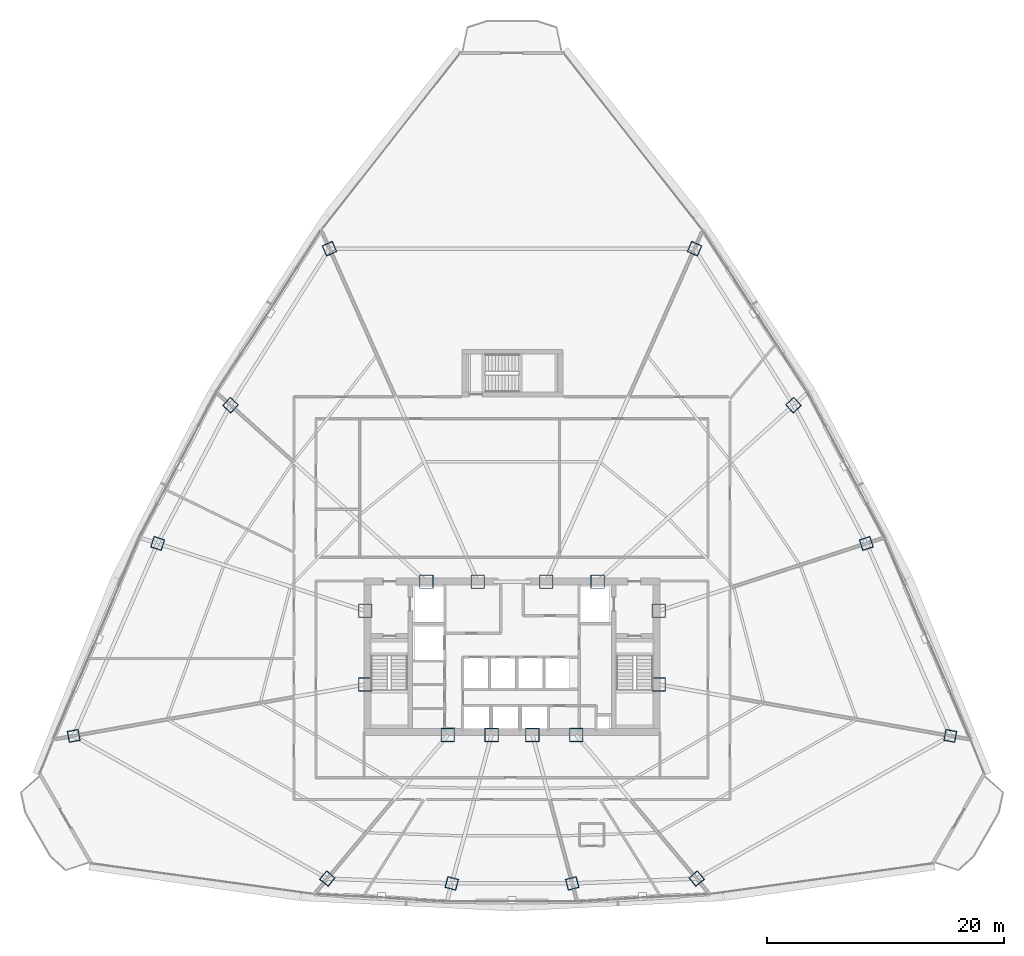
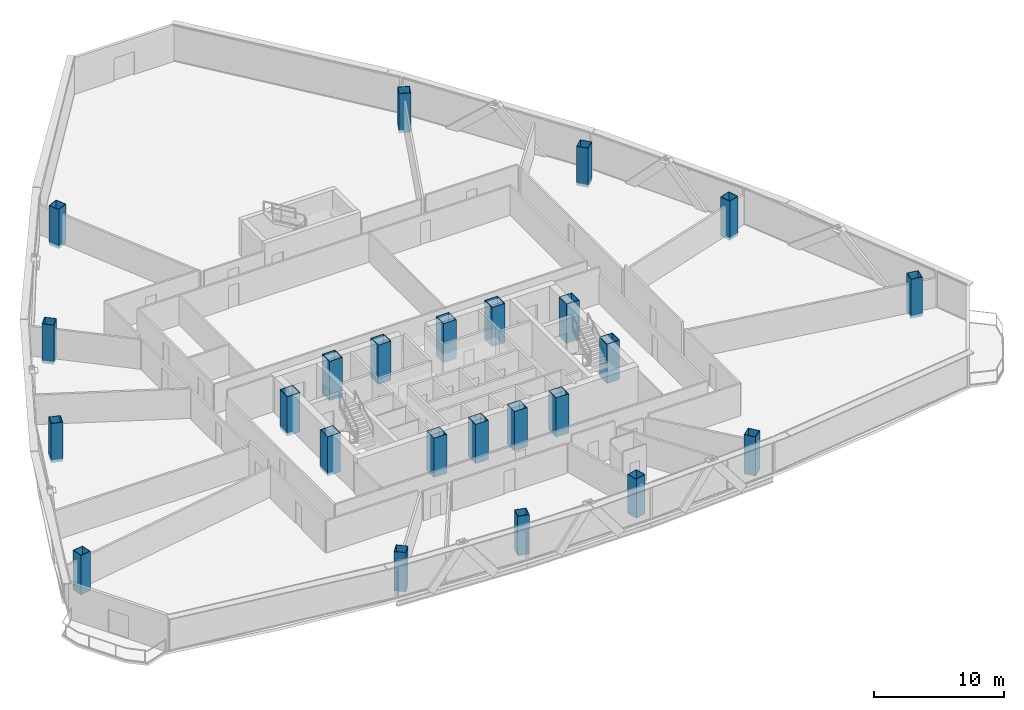
# One storey, part 1 of 39: 24 columns.
"""IFC4 building model written with IfcOpenShell, lengths in metres."""

from ifc_helpers import new_model, si_unit, direction, frame, origin, origin_2d, place, context, subcontext, project, spatial, hollow_rectangle, extrude, source, transform, mapped, material, material_profile, profile_set, type_object, element, save


model = new_model("IFC4")

# Units and contexts
model_context = context("Model", 3, precision=1e-05, world=origin(), true_north=direction((0.0, 1.0)))
body_context = subcontext(model_context, "Body", "Model", "MODEL_VIEW")
ifc_project = project(units=[si_unit("LENGTHUNIT", "METRE"), si_unit("AREAUNIT", "SQUARE_METRE"), si_unit("VOLUMEUNIT", "CUBIC_METRE"), si_unit("PLANEANGLEUNIT", "RADIAN"), si_unit("MASSUNIT", "GRAM", prefix="KILO"), si_unit("THERMODYNAMICTEMPERATUREUNIT", "KELVIN"), si_unit("POWERUNIT", "WATT")], contexts=[model_context])

# Site, building, storey
site_placement = place(None, origin())
site = spatial("IfcSite", under=ifc_project, at=site_placement, CompositionType="ELEMENT")
building_placement = place(site_placement, origin())
building = spatial("IfcBuilding", under=site, at=building_placement, Name="Yunzhuo Pagoda Commons", CompositionType="ELEMENT")
storey_placement = place(building_placement, frame((0.0, 0.0, 148.22998046875)))
storey = spatial("IfcBuildingStorey", under=building, at=storey_placement, Name="L37", CompositionType="ELEMENT", Elevation=148.22998046875)

# Columns
ifc_material = material(Name="Structural steel Q420B", Category="steel")
ifc_material_profile_1 = material_profile(ifc_material, hollow_rectangle(XDim=1.14990234375, YDim=1.14990234375, WallThickness=0.048095703125, at=origin_2d()), Name="Structural steel Q420B")
ifc_profile_set_1 = profile_set([ifc_material_profile_1], Name="Structural steel Q420B")
column_type_1 = type_object("IfcColumnType", Name="C-COR Column BOX 1150x1150x48", PredefinedType="COLUMN", material=ifc_profile_set_1)
shared_shape_1 = source(origin(), body_context, "Body", "SweptSolid", [
    extrude(hollow_rectangle(XDim=1.14990234375, YDim=1.14990234375, WallThickness=0.048095703125, at=origin_2d()), origin(), (0.0, 0.0, 1.0), 3.679931640625),
])
for number, where, z_axis, x_axis, name in (
    (1, (42.587890625, 27.25, -0.260009765625), (0.0, 0.0, 1.0), (1.0, 0.0, 0.0), "L37 core composite column F1C1"),
    (2, (46.27197265625, 27.25, -0.260009765625), (0.0, 0.0, 1.0), (1.0, 0.0, 0.0), "L37 core composite column F1C2"),
    (3, (49.728515625, 27.25, -0.260009765625), (0.0, 0.0, 1.0), (1.0, 0.0, 0.0), "L37 core composite column F1C3"),
    (4, (53.412109375, 27.25, -0.260009765625), (0.0, 0.0, 1.0), (1.0, 0.0, 0.0), "L37 core composite column F1C4"),
    (5, (60.39990234375, 31.513427734375, -0.260009765625), (0.0, 0.0, 1.0), (1.0, 0.0, 0.0), "L37 core composite column F2C1"),
    (6, (60.39990234375, 37.72900390625, -0.260009765625), (0.0, 0.0, 1.0), (1.0, 0.0, 0.0), "L37 core composite column F2C2"),
    (7, (55.218994140625, 40.199951171875, -0.260009765625), (0.0, 0.0, 1.0), (1.0, 0.0, 0.0), "L37 core composite column F2C3"),
    (8, (50.89404296875, 40.199951171875, -0.260009765625), (0.0, 0.0, 1.0), (1.0, 0.0, 0.0), "L37 core composite column F2C4"),
    (9, (45.10595703125, 40.199951171875, -0.260009765625), (0.0, 0.0, 1.0), (1.0, 0.0, 0.0), "L37 core composite column F3C1"),
    (10, (40.781005859375, 40.199951171875, -0.260009765625), (0.0, 0.0, 1.0), (1.0, 0.0, 0.0), "L37 core composite column F3C2"),
    (11, (35.60009765625, 37.72900390625, -0.260009765625), (0.0, 0.0, 1.0), (1.0, 0.0, 0.0), "L37 core composite column F3C3"),
    (12, (35.60009765625, 31.513427734375, -0.260009765625), (0.0, 0.0, 1.0), (1.0, 0.0, 0.0), "L37 core composite column F3C4"),
):
    element("IfcColumn", number, at=place(storey_placement, frame(where, z_axis=z_axis, x_axis=x_axis)), inside=storey, type_object=column_type_1, Name=name, PredefinedType="COLUMN", context=body_context, shape_type="MappedRepresentation", body=[
        mapped(shared_shape_1, transform((0.0, 0.0, 0.0), scale=1.0)),
    ])
ifc_material_profile_2 = material_profile(ifc_material, hollow_rectangle(XDim=0.949951171875, YDim=0.949951171875, WallThickness=0.0400390625, at=origin_2d()), Name="Structural steel Q420B")
ifc_profile_set_2 = profile_set([ifc_material_profile_2], Name="Structural steel Q420B")
column_type_2 = type_object("IfcColumnType", Name="C-Z3 Column BOX 950x950x40", PredefinedType="COLUMN", material=ifc_profile_set_2)
shared_shape_2 = source(origin(), body_context, "Body", "SweptSolid", [
    extrude(hollow_rectangle(XDim=0.949951171875, YDim=0.949951171875, WallThickness=0.0400390625, at=origin_2d()), origin(), (0.0, 0.0, 1.0), 3.679931640625),
])
for number, where, z_axis, x_axis, name in (
    (13, (32.414794921875, 15.126220703125, -0.260009765625), (0.0, 0.0, 1.0), (0.766044443119, -0.642787609687, 0.0), "L37 tower column F1C1"),
    (14, (42.914794921875, 14.7216796875, -0.260009765625), (0.0, 0.0, 1.0), (0.965925826289, -0.258819045103, 0.0), "L37 tower column F1C2"),
    (15, (53.085205078125, 14.7216796875, -0.260009765625), (0.0, 0.0, 1.0), (0.965925826289, 0.258819045103, 0.0), "L37 tower column F1C3"),
    (16, (63.585205078125, 15.126220703125, -0.260009765625), (0.0, 0.0, 1.0), (0.766044443119, 0.642787609687, 0.0), "L37 tower column F1C4"),
    (17, (84.9970703125, 27.176513671875, -0.260009765625), (0.0, 0.0, 1.0), (0.173648177667, 0.984807753012, 0.0), "L37 tower column F2C1"),
    (18, (77.915283203125, 43.420166015625, -0.260009765625), (0.0, 0.0, 1.0), (-0.309016994375, 0.951056516295, 0.0), "L37 tower column F2C2"),
    (19, (71.76611328125, 55.09912109375, -0.260009765625), (0.0, 0.0, 1.0), (-0.669130606359, 0.743144825477, 0.0), "L37 tower column F2C3"),
    (20, (63.406005859375, 68.302734375, -0.260009765625), (0.0, 0.0, 1.0), (-0.913545457643, 0.406736643076, 0.0), "L37 tower column F2C4"),
    (21, (32.593994140625, 68.302734375, -0.260009765625), (0.0, 0.0, 1.0), (-0.913545457643, -0.406736643076, 0.0), "L37 tower column F3C1"),
    (22, (24.23388671875, 55.09912109375, -0.260009765625), (0.0, 0.0, 1.0), (-0.669130606359, -0.743144825477, 0.0), "L37 tower column F3C2"),
    (23, (18.084716796875, 43.420166015625, -0.260009765625), (0.0, 0.0, 1.0), (-0.309016994375, -0.951056516295, 0.0), "L37 tower column F3C3"),
    (24, (11.0029296875, 27.176513671875, -0.260009765625), (0.0, 0.0, 1.0), (0.173648177667, -0.984807753012, 0.0), "L37 tower column F3C4"),
):
    element("IfcColumn", number, at=place(storey_placement, frame(where, z_axis=z_axis, x_axis=x_axis)), inside=storey, type_object=column_type_2, Name=name, PredefinedType="COLUMN", context=body_context, shape_type="MappedRepresentation", body=[
        mapped(shared_shape_2, transform((0.0, 0.0, 0.0), scale=1.0)),
    ])

save(model, "model.ifc")
